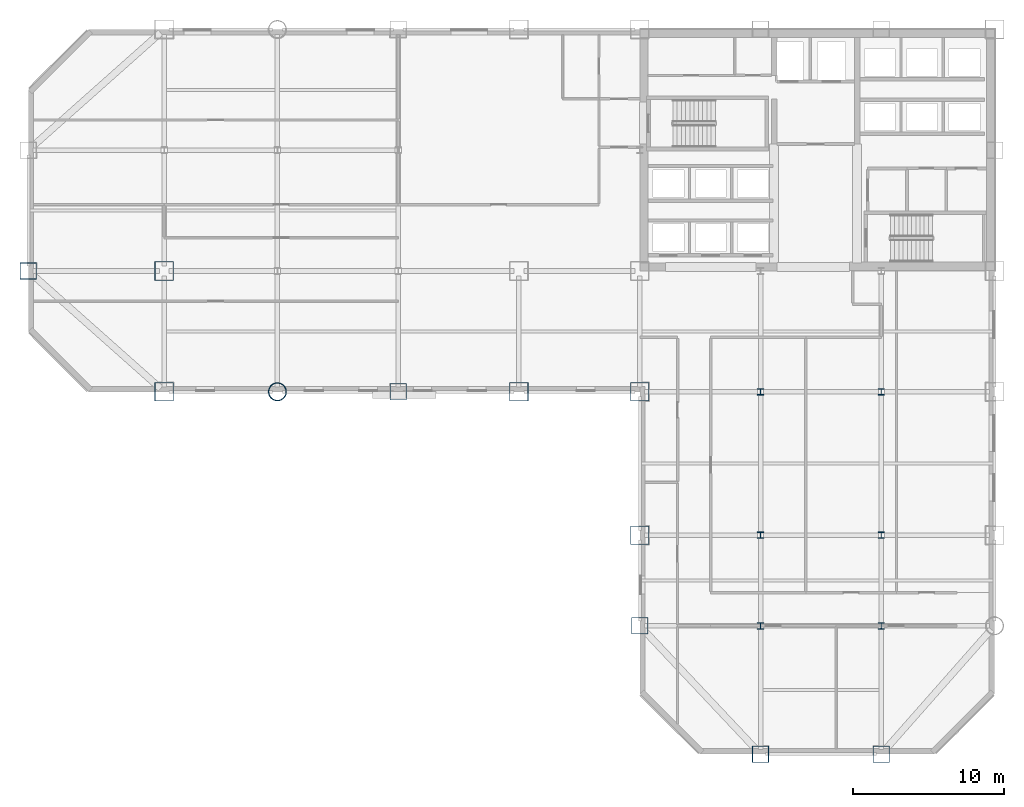
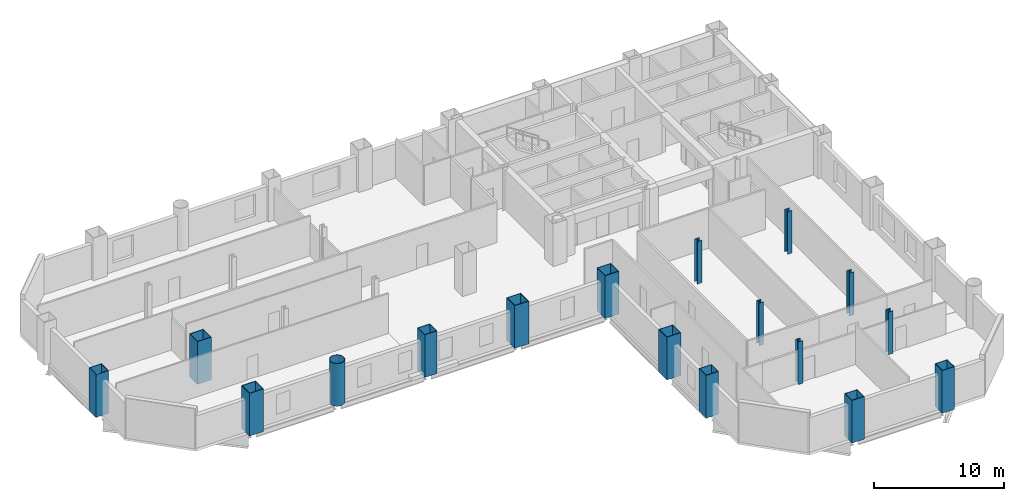
# One storey, part 1 of 9: 17 columns.
"""IFC4 building model written with IfcOpenShell, lengths in metres."""

import ifcopenshell
import ifcopenshell.guid

model = None  # the IFC model being written
_history = None  # IfcOwnerHistory: only IFC2X3 demands one
_inside = {}  # id of a spatial element -> (the spatial element, [elements in it])
_under = {}  # id of a project, library or spatial element -> (it, [spatial elements below it])
_declared = {}  # id of a project -> (the project, [libraries it declares])
_typed = {}  # id of a type object -> (the type object, [elements of that type])
_made_of = {}  # id of a material, layer set ... -> (it, [elements and type objects made of it])


def new_model(schema):
    """Start an empty IFC model of exactly this schema.

    Asked for "IFC4X3", IfcOpenShell would pick the latest addendum, in which some entities
    have other attributes; the version numbers below select the first issue.
    IFC2X3 requires an IfcOwnerHistory on every rooted entity: one is made here for all.
    """
    global model, _history
    if schema == "IFC4X3":
        model = ifcopenshell.file(schema_version=(4, 3, 0, 0))
    else:
        model = ifcopenshell.file(schema=schema)
    _inside.clear()
    _under.clear()
    _declared.clear()
    _typed.clear()
    _made_of.clear()
    _history = None
    if model.schema == "IFC2X3":
        org = make("IfcOrganization", Name="unknown")
        user = make(
            "IfcPersonAndOrganization",
            ThePerson=make("IfcPerson", FamilyName="unknown"),
            TheOrganization=org,
        )
        app = make(
            "IfcApplication",
            ApplicationDeveloper=org,
            Version="unknown",
            ApplicationFullName="unknown",
            ApplicationIdentifier="unknown",
        )
        _history = make(
            "IfcOwnerHistory",
            OwningUser=user,
            OwningApplication=app,
            ChangeAction="ADDED",
            CreationDate=0,
        )
    return model


def make(cls, **values):
    """One entity of the class cls with the attributes given. An attribute that is None is left unset."""
    return model.create_entity(
        cls, **{name: value for name, value in values.items() if value is not None}
    )


def rooted(cls, **values):
    """An entity with a GlobalId (a new one), such as an element, a storey or a relation."""
    return make(cls, GlobalId=ifcopenshell.guid.new(), OwnerHistory=_history, **values)


def si_unit(unit_type, name, prefix=None):
    """IfcSIUnit, for example si_unit("LENGTHUNIT", "METRE", prefix="MILLI")."""
    return make("IfcSIUnit", UnitType=unit_type, Prefix=prefix, Name=name)


def assignment(units):
    """IfcUnitAssignment: the units of a project."""
    return None if units is None else make("IfcUnitAssignment", Units=units)


def point(xyz):
    """IfcCartesianPoint."""
    return None if xyz is None else make("IfcCartesianPoint", Coordinates=xyz)


def direction(xyz):
    """IfcDirection."""
    return None if xyz is None else make("IfcDirection", DirectionRatios=xyz)


def frame(location, z_axis=None, x_axis=None):
    """IfcAxis2Placement3D, a coordinate frame: its origin and axes. An axis left out is left unset."""
    return make(
        "IfcAxis2Placement3D",
        Location=point(location),
        Axis=direction(z_axis),
        RefDirection=direction(x_axis),
    )


def frame_2d(location, x_axis=None):
    """IfcAxis2Placement2D, a coordinate frame in the plane: its origin and x axis."""
    return make(
        "IfcAxis2Placement2D", Location=point(location), RefDirection=direction(x_axis)
    )


def origin():
    """The frame at (0, 0, 0) with its axes left unset."""
    return frame((0.0, 0.0, 0.0))


def origin_2d():
    """The frame at (0, 0) in the plane with its x axis left unset."""
    return frame_2d((0.0, 0.0))


def place(relative_to, where):
    """IfcLocalPlacement: puts the frame where relative to a parent placement (None: the world)."""
    return make(
        "IfcLocalPlacement", PlacementRelTo=relative_to, RelativePlacement=where
    )


def context(
    kind, dimensions, precision=None, world=None, true_north=None, identifier=None
):
    """IfcGeometricRepresentationContext, for example the 3D "Model" context."""
    return make(
        "IfcGeometricRepresentationContext",
        ContextIdentifier=identifier,
        ContextType=kind,
        CoordinateSpaceDimension=dimensions,
        Precision=precision,
        WorldCoordinateSystem=world,
        TrueNorth=true_north,
    )


def subcontext(parent, identifier, kind, view, scale=None):
    """IfcGeometricRepresentationSubContext, for example "Body" below "Model"."""
    return make(
        "IfcGeometricRepresentationSubContext",
        ContextIdentifier=identifier,
        ContextType=kind,
        ParentContext=parent,
        TargetScale=scale,
        TargetView=view,
    )


def project(units=None, contexts=None):
    """IfcProject with its units and contexts."""
    return rooted(
        "IfcProject",
        Name="project",
        RepresentationContexts=contexts,
        UnitsInContext=assignment(units),
    )


def spatial(cls, under=None, at=None, **own):
    """A site, building, storey or space (cls), placed at a placement, below another one or the project."""
    s = rooted(cls, ObjectPlacement=at, **own)
    if under is not None:
        _under.setdefault(under.id(), (under, []))[1].append(s)
    return s


def profile(cls, at=None, kind="AREA", **sizes):
    """A parametric profile (cls). Its sizes go by their IFC names, for example OverallWidth=200.0."""
    return make(cls, ProfileType=kind, Position=at, **sizes)


def hollow_rectangle(**sizes):
    """IfcRectangleHollowProfileDef."""
    return profile("IfcRectangleHollowProfileDef", **sizes)


def hollow_circle(**sizes):
    """IfcCircleHollowProfileDef."""
    return profile("IfcCircleHollowProfileDef", **sizes)


def i_section(**sizes):
    """IfcIShapeProfileDef."""
    return profile("IfcIShapeProfileDef", **sizes)


def extrude(swept, where, along, depth):
    """IfcExtrudedAreaSolid: the profile swept, set in the frame where, extruded along a direction by depth."""
    return make(
        "IfcExtrudedAreaSolid",
        SweptArea=swept,
        Position=where,
        ExtrudedDirection=direction(along),
        Depth=depth,
    )


def shape(context_of_items, identifier, shape_type, items):
    """IfcShapeRepresentation: the items that make up one representation, for example the "Body"."""
    return make(
        "IfcShapeRepresentation",
        ContextOfItems=context_of_items,
        RepresentationIdentifier=identifier,
        RepresentationType=shape_type,
        Items=items,
    )


def material(Name=None, Category=None):
    """IfcMaterial."""
    return make("IfcMaterial", Name=Name, Category=Category)


def material_profile(
    of_material, cross_section, Name=None, Category=None, Priority=None
):
    """IfcMaterialProfile: a cross section and its material."""
    return make(
        "IfcMaterialProfile",
        Name=Name,
        Material=of_material,
        Profile=cross_section,
        Priority=Priority,
        Category=Category,
    )


def profile_set(profiles, Name=None, composite=None):
    """IfcMaterialProfileSet."""
    return make(
        "IfcMaterialProfileSet",
        Name=Name,
        MaterialProfiles=profiles,
        CompositeProfile=composite,
    )


def made_of(thing, what):
    """Note that an element or type object is made of a material, layer set ...; save() writes the relation."""
    if what is not None:
        _made_of.setdefault(what.id(), (what, []))[1].append(thing)
    return thing


def type_object(cls, material=None, **own):
    """A type object (cls), such as IfcWallType, which elements share."""
    return made_of(rooted(cls, **own), material)


def element(
    cls,
    number,
    at=None,
    inside=None,
    cuts=None,
    type_object=None,
    material=None,
    context=None,
    identifier="Body",
    shape_type=None,
    held_by="IfcProductDefinitionShape",
    body=None,
    shapes=None,
    **own,
):
    """One element of the class cls, such as IfcWall. Its Tag is "e" and its number.

    at: its placement. inside: the storey or other place that contains it. cuts: it is an
    opening in that element (IfcRelVoidsElement). A single representation is given by context,
    identifier, shape_type and body (its items); several are given by shapes. held_by: the class
    of the entity that holds the representations. save() writes the other relations.
    """
    e = rooted(cls, Tag="e%d" % number, ObjectPlacement=at, **own)
    if body is not None:
        shapes = [shape(context, identifier, shape_type, body)]
    if shapes is not None:
        e.Representation = make(held_by, Representations=shapes)
    if inside is not None:
        _inside.setdefault(inside.id(), (inside, []))[1].append(e)
    if cuts is not None:
        rooted(
            "IfcRelVoidsElement", RelatingBuildingElement=cuts, RelatedOpeningElement=e
        )
    if type_object is not None:
        _typed.setdefault(type_object.id(), (type_object, []))[1].append(e)
    return made_of(e, material)


def aggregate(whole, parts):
    """IfcRelAggregates: a whole, such as a stair, and the parts it consists of."""
    return rooted("IfcRelAggregates", RelatingObject=whole, RelatedObjects=parts)


def save(model, path):
    """Write the relations noted so far, then the file.

    IfcRelAggregates (storeys below a building ...), IfcRelContainedInSpatialStructure (elements
    in a storey), IfcRelDefinesByType, IfcRelAssociatesMaterial and IfcRelDeclares: one each for
    every whole, place, type object, material and project.
    """
    for whole, parts in _under.values():
        aggregate(whole, parts)
    for where, things in _inside.values():
        rooted(
            "IfcRelContainedInSpatialStructure",
            RelatedElements=things,
            RelatingStructure=where,
        )
    for kind, things in _typed.values():
        rooted("IfcRelDefinesByType", RelatedObjects=things, RelatingType=kind)
    for what, things in _made_of.values():
        rooted("IfcRelAssociatesMaterial", RelatedObjects=things, RelatingMaterial=what)
    for by, libraries in _declared.values():
        rooted("IfcRelDeclares", RelatingContext=by, RelatedDefinitions=libraries)
    model.write(path)


model = new_model("IFC4")

# Units and contexts
model_context = context("Model", 3, precision=1e-05, world=origin(), true_north=direction((0.0, 1.0)))
body_context = subcontext(model_context, "Body", "Model", "MODEL_VIEW")
ifc_project = project(units=[si_unit("LENGTHUNIT", "METRE"), si_unit("AREAUNIT", "SQUARE_METRE"), si_unit("VOLUMEUNIT", "CUBIC_METRE"), si_unit("PLANEANGLEUNIT", "RADIAN"), si_unit("MASSUNIT", "GRAM", prefix="KILO")], contexts=[model_context])

# Site, building, storey
site_placement = place(None, origin())
site = spatial("IfcSite", under=ifc_project, at=site_placement, CompositionType="ELEMENT")
building_placement = place(site_placement, origin())
building = spatial("IfcBuilding", under=site, at=building_placement, Name="Qianrong Seaharbour Tower", CompositionType="ELEMENT")
storey_placement = place(building_placement, frame((0.0, 0.0, 76.199951171875)))
storey = spatial("IfcBuildingStorey", under=building, at=storey_placement, Name="L18", CompositionType="ELEMENT", Elevation=76.199951171875)

# Columns
ifc_material = material(Name="Structural steel SN490B", Category="steel")
ifc_material_profile_1 = material_profile(ifc_material, hollow_rectangle(XDim=1.25, YDim=1.25, WallThickness=0.044921875, at=origin_2d()), Name="BOX1250x1250x45")
ifc_profile_set_1 = profile_set([ifc_material_profile_1], Name="Structural steel SN490B")
column_type_1 = type_object("IfcColumnType", Name="COL-CFT-1250", PredefinedType="COLUMN", material=ifc_profile_set_1)
for number, where, z_axis, x_axis, name in (
    (1, (9.0, 28.0, 0.0), (0.0, 0.0, 1.0), (1.0, 0.0, 0.0), "L18 Column MC-2 at G2/GE"),
    (2, (9.0, 36.0, 0.0), (0.0, 0.0, 1.0), (1.0, 0.0, 0.0), "L18 Column MC-2 at G2/GF"),
    (3, (32.5, 28.0, 0.0), (0.0, 0.0, 1.0), (1.0, 0.0, 0.0), "L18 Column MC-2 at G5/GE"),
    (4, (40.5, 18.5, 0.0), (0.0, 0.0, 1.0), (1.0, 0.0, 0.0), "L18 Column MC-2 at G6/GD"),
    (5, (40.5, 28.0, 0.0), (0.0, 0.0, 1.0), (1.0, 0.0, 0.0), "L18 Column MC-2 at G6/GE"),
):
    element("IfcColumn", number, at=place(storey_placement, frame(where, z_axis=z_axis, x_axis=x_axis)), inside=storey, type_object=column_type_1, Name=name, PredefinedType="COLUMN", context=body_context, shape_type="SweptSolid", body=[
        extrude(hollow_rectangle(XDim=1.25, YDim=1.25, WallThickness=0.044921875, at=origin_2d()), origin(), (0.0, 0.0, 1.0), 4.0),
    ])
ifc_material_profile_2 = material_profile(ifc_material, hollow_circle(Radius=0.60009765625, WallThickness=0.0400390625, at=origin_2d()), Name="CHS1200x40")
ifc_profile_set_2 = profile_set([ifc_material_profile_2], Name="Structural steel SN490B")
column_type_2 = type_object("IfcColumnType", Name="COL-CHS-1200", PredefinedType="COLUMN", material=ifc_profile_set_2)
column_placement = place(storey_placement, frame((16.5, 28.0, 0.0), z_axis=(0.0, 0.0, 1.0), x_axis=(1.0, 0.0, 0.0)))
element("IfcColumn", 6, at=column_placement, inside=storey, type_object=column_type_2, Name="L18 Column CC-1 at G3/GE", PredefinedType="COLUMN", context=body_context, shape_type="SweptSolid", body=[
    extrude(hollow_circle(Radius=0.60009765625, WallThickness=0.0400390625, at=origin_2d()), origin(), (0.0, 0.0, 1.0), 4.0),
])
ifc_material_profile_3 = material_profile(ifc_material, i_section(OverallWidth=0.406982421875, OverallDepth=0.427978515625, WebThickness=0.02001953125, FlangeThickness=0.034912109375, FilletRadius=0.02197265625, at=origin_2d()), Name="H428x407x20x35")
ifc_profile_set_3 = profile_set([ifc_material_profile_3], Name="Structural steel SN490B")
column_type_3 = type_object("IfcColumnType", Name="COL-INT-H428", PredefinedType="COLUMN", material=ifc_profile_set_3)
for number, where, z_axis, x_axis, name in (
    (7, (48.5, 12.5, 0.0), (0.0, 0.0, 1.0), (1.0, 0.0, 0.0), "L18 Column IC-2 at G7/GC"),
    (8, (48.5, 18.5, 0.0), (0.0, 0.0, 1.0), (1.0, 0.0, 0.0), "L18 Column IC-2 at G7/GD"),
    (9, (48.5, 28.0, 0.0), (0.0, 0.0, 1.0), (1.0, 0.0, 0.0), "L18 Column IC-2 at G7/GE"),
    (10, (56.5, 12.5, 0.0), (0.0, 0.0, 1.0), (1.0, 0.0, 0.0), "L18 Column IC-2 at G8/GC"),
    (11, (56.5, 18.5, 0.0), (0.0, 0.0, 1.0), (1.0, 0.0, 0.0), "L18 Column IC-2 at G8/GD"),
    (12, (56.5, 28.0, 0.0), (0.0, 0.0, 1.0), (1.0, 0.0, 0.0), "L18 Column IC-2 at G8/GE"),
):
    element("IfcColumn", number, at=place(storey_placement, frame(where, z_axis=z_axis, x_axis=x_axis)), inside=storey, type_object=column_type_3, Name=name, PredefinedType="COLUMN", context=body_context, shape_type="SweptSolid", body=[
        extrude(i_section(OverallWidth=0.406982421875, OverallDepth=0.427978515625, WebThickness=0.02001953125, FlangeThickness=0.034912109375, FilletRadius=0.02197265625, at=origin_2d()), origin(), (0.0, 0.0, 1.0), 4.0),
    ])
ifc_material_profile_4 = material_profile(ifc_material, hollow_rectangle(XDim=1.10009765625, YDim=1.10009765625, WallThickness=0.0400390625, at=origin_2d()), Name="BOX1100x1100x40")
ifc_profile_set_4 = profile_set([ifc_material_profile_4], Name="Structural steel SN490B")
column_type_4 = type_object("IfcColumnType", Name="COL-PER-1100", PredefinedType="COLUMN", material=ifc_profile_set_4)
for number, where, z_axis, x_axis, name in (
    (13, (0.0, 36.0, 0.0), (0.0, 0.0, 1.0), (1.0, 0.0, 0.0), "L18 Column PC-1 at G1/GF"),
    (14, (24.5, 28.0, 0.0), (0.0, 0.0, 1.0), (1.0, 0.0, 0.0), "L18 Column PC-1 at G4/GE"),
    (15, (40.5, 12.5, 0.0), (0.0, 0.0, 1.0), (1.0, 0.0, 0.0), "L18 Column PC-1 at G6/GC"),
    (16, (48.5, 4.0, 0.0), (0.0, 0.0, 1.0), (1.0, 0.0, 0.0), "L18 Column PC-1 at G7/GB"),
    (17, (56.5, 4.0, 0.0), (0.0, 0.0, 1.0), (1.0, 0.0, 0.0), "L18 Column PC-1 at G8/GB"),
):
    element("IfcColumn", number, at=place(storey_placement, frame(where, z_axis=z_axis, x_axis=x_axis)), inside=storey, type_object=column_type_4, Name=name, PredefinedType="COLUMN", context=body_context, shape_type="SweptSolid", body=[
        extrude(hollow_rectangle(XDim=1.10009765625, YDim=1.10009765625, WallThickness=0.0400390625, at=origin_2d()), origin(), (0.0, 0.0, 1.0), 4.0),
    ])

save(model, "model.ifc")
